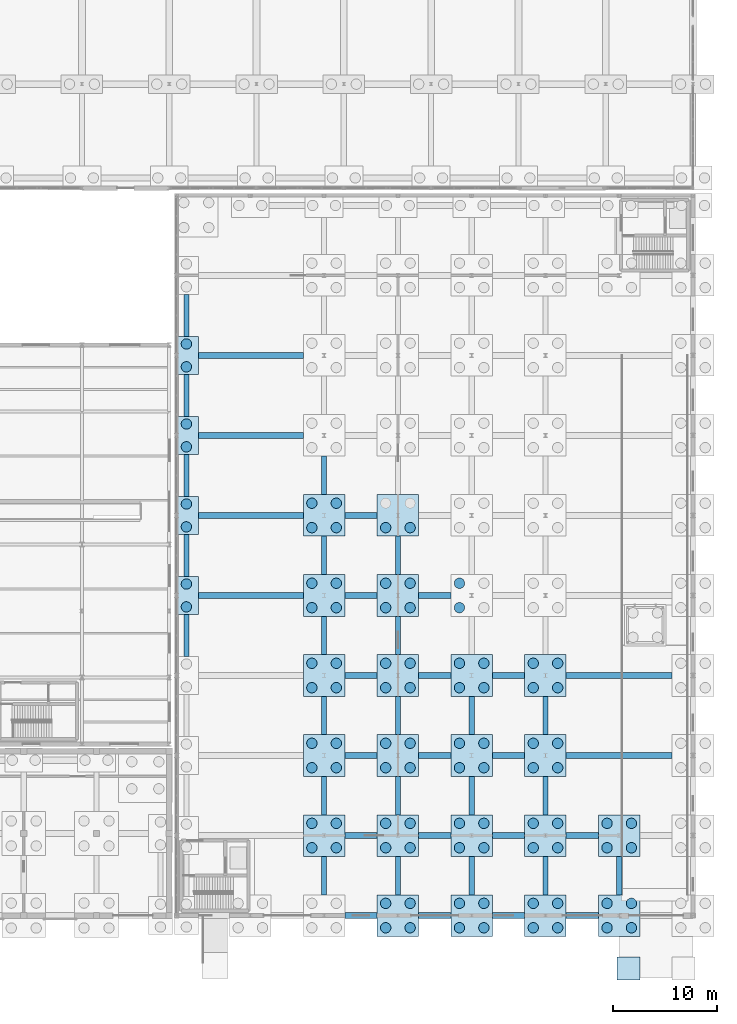
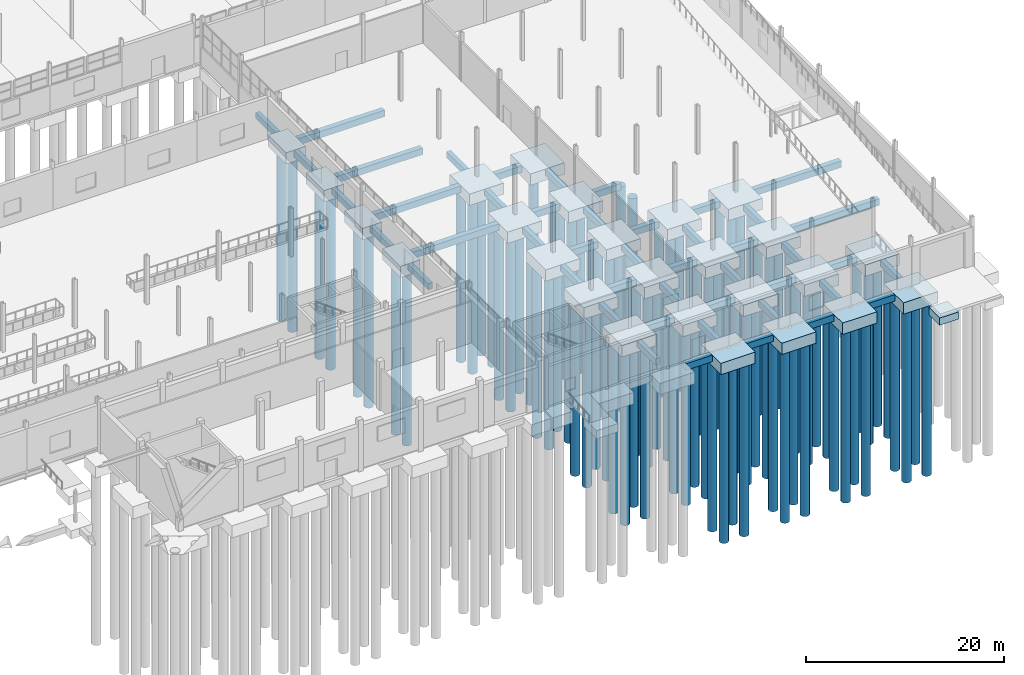
# One storey, part 7 of 139: 92 piles, 72 footings.
"""IFC4 building model written with IfcOpenShell, lengths in metres."""

from ifc_helpers import new_model, si_unit, direction, frame, origin, origin_2d, place, context, subcontext, project, spatial, polyline, rectangle, circle, outline, extrude, material, material_profile, profile_set, type_object, element, save


model = new_model("IFC4")

# Units and contexts
model_context = context("Model", 3, precision=1e-05, world=origin(), true_north=direction((0.0, 1.0)))
body_context = subcontext(model_context, "Body", "Model", "MODEL_VIEW")
ifc_project = project(units=[si_unit("LENGTHUNIT", "METRE"), si_unit("AREAUNIT", "SQUARE_METRE"), si_unit("VOLUMEUNIT", "CUBIC_METRE"), si_unit("PLANEANGLEUNIT", "RADIAN"), si_unit("MASSUNIT", "GRAM", prefix="KILO")], contexts=[model_context])

# Site, building, storey
site_placement = place(None, origin())
site = spatial("IfcSite", under=ifc_project, at=site_placement, CompositionType="ELEMENT")
building_placement = place(site_placement, origin())
building = spatial("IfcBuilding", under=site, at=building_placement, Name="Kazenagashi Tramway Depot", CompositionType="ELEMENT")
storey_placement = place(building_placement, origin())
storey = spatial("IfcBuildingStorey", under=building, at=storey_placement, Name="L01", CompositionType="ELEMENT", Elevation=0.0)

# Piles
ifc_material = material(Name="Concrete Fc30", Category="concrete")
ifc_material_profile = material_profile(ifc_material, circle(Radius=0.5, at=origin_2d()), Name="PILE-1000")
ifc_profile_set = profile_set([ifc_material_profile], Name="Concrete Fc30")
pile_type = type_object("IfcPileType", Name="BP-01", PredefinedType="BORED", material=ifc_profile_set)
for number, where, z_axis, x_axis, name in (
    (1, (147.25, 29.7, -1.65), (0.0, 0.0, -1.0), (1.0, 0.0, 0.0), "Bored Pile BP-01 PILE-0487"),
    (2, (147.25, 31.9, -1.65), (0.0, 0.0, -1.0), (1.0, 0.0, 0.0), "Bored Pile BP-01 PILE-0488"),
    (3, (147.25, 37.4, -1.65), (0.0, 0.0, -1.0), (1.0, 0.0, 0.0), "Bored Pile BP-01 PILE-0489"),
    (4, (147.25, 39.6, -1.65), (0.0, 0.0, -1.0), (1.0, 0.0, 0.0), "Bored Pile BP-01 PILE-0490"),
    (5, (147.25, 45.1, -1.65), (0.0, 0.0, -1.0), (1.0, 0.0, 0.0), "Bored Pile BP-01 PILE-0491"),
    (6, (147.25, 47.3, -1.65), (0.0, 0.0, -1.0), (1.0, 0.0, 0.0), "Bored Pile BP-01 PILE-0492"),
    (7, (147.25, 52.8, -1.65), (0.0, 0.0, -1.0), (1.0, 0.0, 0.0), "Bored Pile BP-01 PILE-0493"),
    (8, (147.25, 55.0, -1.65), (0.0, 0.0, -1.0), (1.0, 0.0, 0.0), "Bored Pile BP-01 PILE-0494"),
    (9, (159.325, 6.525, -1.65), (0.0, 0.0, -1.0), (1.0, 0.0, 0.0), "Bored Pile BP-01 PILE-0511"),
    (10, (161.675, 6.525, -1.65), (0.0, 0.0, -1.0), (1.0, 0.0, 0.0), "Bored Pile BP-01 PILE-0512"),
    (11, (159.325, 8.875, -1.65), (0.0, 0.0, -1.0), (1.0, 0.0, 0.0), "Bored Pile BP-01 PILE-0513"),
    (12, (161.675, 8.875, -1.65), (0.0, 0.0, -1.0), (1.0, 0.0, 0.0), "Bored Pile BP-01 PILE-0514"),
    (13, (159.325, 14.225, -1.65), (0.0, 0.0, -1.0), (1.0, 0.0, 0.0), "Bored Pile BP-01 PILE-0515"),
    (14, (161.675, 14.225, -1.65), (0.0, 0.0, -1.0), (1.0, 0.0, 0.0), "Bored Pile BP-01 PILE-0516"),
    (15, (159.325, 16.575, -1.65), (0.0, 0.0, -1.0), (1.0, 0.0, 0.0), "Bored Pile BP-01 PILE-0517"),
    (16, (161.675, 16.575, -1.65), (0.0, 0.0, -1.0), (1.0, 0.0, 0.0), "Bored Pile BP-01 PILE-0518"),
    (17, (159.325, 21.925, -1.65), (0.0, 0.0, -1.0), (1.0, 0.0, 0.0), "Bored Pile BP-01 PILE-0519"),
    (18, (161.675, 21.925, -1.65), (0.0, 0.0, -1.0), (1.0, 0.0, 0.0), "Bored Pile BP-01 PILE-0520"),
    (19, (159.325, 24.275, -1.65), (0.0, 0.0, -1.0), (1.0, 0.0, 0.0), "Bored Pile BP-01 PILE-0521"),
    (20, (161.675, 24.275, -1.65), (0.0, 0.0, -1.0), (1.0, 0.0, 0.0), "Bored Pile BP-01 PILE-0522"),
    (21, (159.325, 29.625, -1.65), (0.0, 0.0, -1.0), (1.0, 0.0, 0.0), "Bored Pile BP-01 PILE-0523"),
    (22, (161.675, 29.625, -1.65), (0.0, 0.0, -1.0), (1.0, 0.0, 0.0), "Bored Pile BP-01 PILE-0524"),
    (23, (159.325, 31.975, -1.65), (0.0, 0.0, -1.0), (1.0, 0.0, 0.0), "Bored Pile BP-01 PILE-0525"),
    (24, (161.675, 31.975, -1.65), (0.0, 0.0, -1.0), (1.0, 0.0, 0.0), "Bored Pile BP-01 PILE-0526"),
    (25, (159.325, 37.325, -1.65), (0.0, 0.0, -1.0), (1.0, 0.0, 0.0), "Bored Pile BP-01 PILE-0527"),
    (26, (161.675, 37.325, -1.65), (0.0, 0.0, -1.0), (1.0, 0.0, 0.0), "Bored Pile BP-01 PILE-0528"),
    (27, (159.325, 39.675, -1.65), (0.0, 0.0, -1.0), (1.0, 0.0, 0.0), "Bored Pile BP-01 PILE-0529"),
    (28, (161.675, 39.675, -1.65), (0.0, 0.0, -1.0), (1.0, 0.0, 0.0), "Bored Pile BP-01 PILE-0530"),
    (29, (166.425, -1.175, -1.65), (0.0, 0.0, -1.0), (1.0, 0.0, 0.0), "Bored Pile BP-01 PILE-0545"),
    (30, (168.775, -1.175, -1.65), (0.0, 0.0, -1.0), (1.0, 0.0, 0.0), "Bored Pile BP-01 PILE-0546"),
    (31, (166.425, 1.175, -1.65), (0.0, 0.0, -1.0), (1.0, 0.0, 0.0), "Bored Pile BP-01 PILE-0547"),
    (32, (168.775, 1.175, -1.65), (0.0, 0.0, -1.0), (1.0, 0.0, 0.0), "Bored Pile BP-01 PILE-0548"),
    (33, (166.425, 6.525, -1.65), (0.0, 0.0, -1.0), (1.0, 0.0, 0.0), "Bored Pile BP-01 PILE-0549"),
    (34, (168.775, 6.525, -1.65), (0.0, 0.0, -1.0), (1.0, 0.0, 0.0), "Bored Pile BP-01 PILE-0550"),
    (35, (166.425, 8.875, -1.65), (0.0, 0.0, -1.0), (1.0, 0.0, 0.0), "Bored Pile BP-01 PILE-0551"),
    (36, (168.775, 8.875, -1.65), (0.0, 0.0, -1.0), (1.0, 0.0, 0.0), "Bored Pile BP-01 PILE-0552"),
    (37, (166.425, 14.225, -1.65), (0.0, 0.0, -1.0), (1.0, 0.0, 0.0), "Bored Pile BP-01 PILE-0553"),
    (38, (168.775, 14.225, -1.65), (0.0, 0.0, -1.0), (1.0, 0.0, 0.0), "Bored Pile BP-01 PILE-0554"),
    (39, (166.425, 16.575, -1.65), (0.0, 0.0, -1.0), (1.0, 0.0, 0.0), "Bored Pile BP-01 PILE-0555"),
    (40, (168.775, 16.575, -1.65), (0.0, 0.0, -1.0), (1.0, 0.0, 0.0), "Bored Pile BP-01 PILE-0556"),
    (41, (166.425, 21.925, -1.65), (0.0, 0.0, -1.0), (1.0, 0.0, 0.0), "Bored Pile BP-01 PILE-0557"),
    (42, (168.775, 21.925, -1.65), (0.0, 0.0, -1.0), (1.0, 0.0, 0.0), "Bored Pile BP-01 PILE-0558"),
    (43, (166.425, 24.275, -1.65), (0.0, 0.0, -1.0), (1.0, 0.0, 0.0), "Bored Pile BP-01 PILE-0559"),
    (44, (168.775, 24.275, -1.65), (0.0, 0.0, -1.0), (1.0, 0.0, 0.0), "Bored Pile BP-01 PILE-0560"),
    (45, (166.425, 29.625, -1.65), (0.0, 0.0, -1.0), (1.0, 0.0, 0.0), "Bored Pile BP-01 PILE-0561"),
    (46, (168.775, 29.625, -1.65), (0.0, 0.0, -1.0), (1.0, 0.0, 0.0), "Bored Pile BP-01 PILE-0562"),
    (47, (166.425, 31.975, -1.65), (0.0, 0.0, -1.0), (1.0, 0.0, 0.0), "Bored Pile BP-01 PILE-0563"),
    (48, (168.775, 31.975, -1.65), (0.0, 0.0, -1.0), (1.0, 0.0, 0.0), "Bored Pile BP-01 PILE-0564"),
    (49, (166.425, 37.325, -1.65), (0.0, 0.0, -1.0), (1.0, 0.0, 0.0), "Bored Pile BP-01 PILE-0565"),
    (50, (168.775, 37.325, -1.65), (0.0, 0.0, -1.0), (1.0, 0.0, 0.0), "Bored Pile BP-01 PILE-0566"),
    (51, (173.525, -1.175, -1.65), (0.0, 0.0, -1.0), (1.0, 0.0, 0.0), "Bored Pile BP-01 PILE-0583"),
    (52, (175.875, -1.175, -1.65), (0.0, 0.0, -1.0), (1.0, 0.0, 0.0), "Bored Pile BP-01 PILE-0584"),
    (53, (173.525, 1.175, -1.65), (0.0, 0.0, -1.0), (1.0, 0.0, 0.0), "Bored Pile BP-01 PILE-0585"),
    (54, (175.875, 1.175, -1.65), (0.0, 0.0, -1.0), (1.0, 0.0, 0.0), "Bored Pile BP-01 PILE-0586"),
    (55, (173.525, 6.525, -1.65), (0.0, 0.0, -1.0), (1.0, 0.0, 0.0), "Bored Pile BP-01 PILE-0587"),
    (56, (175.875, 6.525, -1.65), (0.0, 0.0, -1.0), (1.0, 0.0, 0.0), "Bored Pile BP-01 PILE-0588"),
    (57, (173.525, 8.875, -1.65), (0.0, 0.0, -1.0), (1.0, 0.0, 0.0), "Bored Pile BP-01 PILE-0589"),
    (58, (175.875, 8.875, -1.65), (0.0, 0.0, -1.0), (1.0, 0.0, 0.0), "Bored Pile BP-01 PILE-0590"),
    (59, (173.525, 14.225, -1.65), (0.0, 0.0, -1.0), (1.0, 0.0, 0.0), "Bored Pile BP-01 PILE-0591"),
    (60, (175.875, 14.225, -1.65), (0.0, 0.0, -1.0), (1.0, 0.0, 0.0), "Bored Pile BP-01 PILE-0592"),
    (61, (173.525, 16.575, -1.65), (0.0, 0.0, -1.0), (1.0, 0.0, 0.0), "Bored Pile BP-01 PILE-0593"),
    (62, (175.875, 16.575, -1.65), (0.0, 0.0, -1.0), (1.0, 0.0, 0.0), "Bored Pile BP-01 PILE-0594"),
    (63, (173.525, 21.925, -1.65), (0.0, 0.0, -1.0), (1.0, 0.0, 0.0), "Bored Pile BP-01 PILE-0595"),
    (64, (175.875, 21.925, -1.65), (0.0, 0.0, -1.0), (1.0, 0.0, 0.0), "Bored Pile BP-01 PILE-0596"),
    (65, (173.525, 24.275, -1.65), (0.0, 0.0, -1.0), (1.0, 0.0, 0.0), "Bored Pile BP-01 PILE-0597"),
    (66, (175.875, 24.275, -1.65), (0.0, 0.0, -1.0), (1.0, 0.0, 0.0), "Bored Pile BP-01 PILE-0598"),
    (67, (173.525, 29.625, -1.65), (0.0, 0.0, -1.0), (1.0, 0.0, 0.0), "Bored Pile BP-01 PILE-0599"),
    (68, (173.525, 31.975, -1.65), (0.0, 0.0, -1.0), (1.0, 0.0, 0.0), "Bored Pile BP-01 PILE-0601"),
    (69, (180.625, -1.175, -1.65), (0.0, 0.0, -1.0), (1.0, 0.0, 0.0), "Bored Pile BP-01 PILE-0621"),
    (70, (182.975, -1.175, -1.65), (0.0, 0.0, -1.0), (1.0, 0.0, 0.0), "Bored Pile BP-01 PILE-0622"),
    (71, (180.625, 1.175, -1.65), (0.0, 0.0, -1.0), (1.0, 0.0, 0.0), "Bored Pile BP-01 PILE-0623"),
    (72, (182.975, 1.175, -1.65), (0.0, 0.0, -1.0), (1.0, 0.0, 0.0), "Bored Pile BP-01 PILE-0624"),
    (73, (180.625, 6.525, -1.65), (0.0, 0.0, -1.0), (1.0, 0.0, 0.0), "Bored Pile BP-01 PILE-0625"),
    (74, (182.975, 6.525, -1.65), (0.0, 0.0, -1.0), (1.0, 0.0, 0.0), "Bored Pile BP-01 PILE-0626"),
    (75, (180.625, 8.875, -1.65), (0.0, 0.0, -1.0), (1.0, 0.0, 0.0), "Bored Pile BP-01 PILE-0627"),
    (76, (182.975, 8.875, -1.65), (0.0, 0.0, -1.0), (1.0, 0.0, 0.0), "Bored Pile BP-01 PILE-0628"),
    (77, (180.625, 14.225, -1.65), (0.0, 0.0, -1.0), (1.0, 0.0, 0.0), "Bored Pile BP-01 PILE-0629"),
    (78, (182.975, 14.225, -1.65), (0.0, 0.0, -1.0), (1.0, 0.0, 0.0), "Bored Pile BP-01 PILE-0630"),
    (79, (180.625, 16.575, -1.65), (0.0, 0.0, -1.0), (1.0, 0.0, 0.0), "Bored Pile BP-01 PILE-0631"),
    (80, (182.975, 16.575, -1.65), (0.0, 0.0, -1.0), (1.0, 0.0, 0.0), "Bored Pile BP-01 PILE-0632"),
    (81, (180.625, 21.925, -1.65), (0.0, 0.0, -1.0), (1.0, 0.0, 0.0), "Bored Pile BP-01 PILE-0633"),
    (82, (182.975, 21.925, -1.65), (0.0, 0.0, -1.0), (1.0, 0.0, 0.0), "Bored Pile BP-01 PILE-0634"),
    (83, (180.625, 24.275, -1.65), (0.0, 0.0, -1.0), (1.0, 0.0, 0.0), "Bored Pile BP-01 PILE-0635"),
    (84, (182.975, 24.275, -1.65), (0.0, 0.0, -1.0), (1.0, 0.0, 0.0), "Bored Pile BP-01 PILE-0636"),
    (85, (187.725, -1.175, -1.65), (0.0, 0.0, -1.0), (1.0, 0.0, 0.0), "Bored Pile BP-01 PILE-0659"),
    (86, (190.075, -1.175, -1.65), (0.0, 0.0, -1.0), (1.0, 0.0, 0.0), "Bored Pile BP-01 PILE-0660"),
    (87, (187.725, 1.175, -1.65), (0.0, 0.0, -1.0), (1.0, 0.0, 0.0), "Bored Pile BP-01 PILE-0661"),
    (88, (190.075, 1.175, -1.65), (0.0, 0.0, -1.0), (1.0, 0.0, 0.0), "Bored Pile BP-01 PILE-0662"),
    (89, (187.725, 6.525, -1.65), (0.0, 0.0, -1.0), (1.0, 0.0, 0.0), "Bored Pile BP-01 PILE-0663"),
    (90, (190.075, 6.525, -1.65), (0.0, 0.0, -1.0), (1.0, 0.0, 0.0), "Bored Pile BP-01 PILE-0664"),
    (91, (187.725, 8.875, -1.65), (0.0, 0.0, -1.0), (1.0, 0.0, 0.0), "Bored Pile BP-01 PILE-0665"),
    (92, (190.075, 8.875, -1.65), (0.0, 0.0, -1.0), (1.0, 0.0, 0.0), "Bored Pile BP-01 PILE-0666"),
):
    element("IfcPile", number, at=place(storey_placement, frame(where, z_axis=z_axis, x_axis=x_axis)), inside=storey, type_object=pile_type, Name=name, PredefinedType="BORED", context=body_context, shape_type="SweptSolid", body=[
        extrude(circle(Radius=0.5, at=origin_2d()), origin(), (0.0, 0.0, 1.0), 21.35),
    ])

# Footings
footing_type_1 = type_object("IfcFootingType", Name="FB-01", PredefinedType="FOOTING_BEAM", material=ifc_material)
footing_1_placement = place(storey_placement, frame((0.0, 0.0, -1.15)))
element("IfcFooting", 93, at=footing_1_placement, inside=storey, type_object=footing_type_1, Name="Footing Tie Beam FB-0022", PredefinedType="FOOTING_BEAM", context=body_context, shape_type="SweptSolid", body=[
    extrude(outline(polyline([(162.5, -0.3), (165.6, -0.3), (165.6, 0.3), (162.5, 0.3), (162.5, -0.3)])), origin(), (0.0, 0.0, 1.0), 0.8),
])
footing_2_placement = place(storey_placement, frame((0.0, 0.0, -1.15)))
element("IfcFooting", 94, at=footing_2_placement, inside=storey, type_object=footing_type_1, Name="Footing Tie Beam FB-0023", PredefinedType="FOOTING_BEAM", context=body_context, shape_type="SweptSolid", body=[
    extrude(outline(polyline([(169.6, -0.3), (172.7, -0.3), (172.7, 0.3), (169.6, 0.3), (169.6, -0.3)])), origin(), (0.0, 0.0, 1.0), 0.8),
])
footing_3_placement = place(storey_placement, frame((0.0, 0.0, -1.15)))
element("IfcFooting", 95, at=footing_3_placement, inside=storey, type_object=footing_type_1, Name="Footing Tie Beam FB-0024", PredefinedType="FOOTING_BEAM", context=body_context, shape_type="SweptSolid", body=[
    extrude(outline(polyline([(176.7, -0.3), (179.8, -0.3), (179.8, 0.3), (176.7, 0.3), (176.7, -0.3)])), origin(), (0.0, 0.0, 1.0), 0.8),
])
footing_4_placement = place(storey_placement, frame((0.0, 0.0, -1.15)))
element("IfcFooting", 96, at=footing_4_placement, inside=storey, type_object=footing_type_1, Name="Footing Tie Beam FB-0025", PredefinedType="FOOTING_BEAM", context=body_context, shape_type="SweptSolid", body=[
    extrude(outline(polyline([(183.8, -0.3), (186.9, -0.3), (186.9, 0.3), (183.8, 0.3), (183.8, -0.3)])), origin(), (0.0, 0.0, 1.0), 0.8),
])
footing_5_placement = place(storey_placement, frame((0.0, 0.0, -1.15)))
element("IfcFooting", 97, at=footing_5_placement, inside=storey, type_object=footing_type_1, Name="Footing Tie Beam FB-0038", PredefinedType="FOOTING_BEAM", context=body_context, shape_type="SweptSolid", body=[
    extrude(outline(polyline([(162.5, 7.4), (165.6, 7.4), (165.6, 8.0), (162.5, 8.0), (162.5, 7.4)])), origin(), (0.0, 0.0, 1.0), 0.8),
])
footing_6_placement = place(storey_placement, frame((0.0, 0.0, -1.15)))
element("IfcFooting", 98, at=footing_6_placement, inside=storey, type_object=footing_type_1, Name="Footing Tie Beam FB-0039", PredefinedType="FOOTING_BEAM", context=body_context, shape_type="SweptSolid", body=[
    extrude(outline(polyline([(169.6, 7.4), (172.7, 7.4), (172.7, 8.0), (169.6, 8.0), (169.6, 7.4)])), origin(), (0.0, 0.0, 1.0), 0.8),
])
footing_7_placement = place(storey_placement, frame((0.0, 0.0, -1.15)))
element("IfcFooting", 99, at=footing_7_placement, inside=storey, type_object=footing_type_1, Name="Footing Tie Beam FB-0040", PredefinedType="FOOTING_BEAM", context=body_context, shape_type="SweptSolid", body=[
    extrude(outline(polyline([(176.7, 7.4), (179.8, 7.4), (179.8, 8.0), (176.7, 8.0), (176.7, 7.4)])), origin(), (0.0, 0.0, 1.0), 0.8),
])
footing_8_placement = place(storey_placement, frame((0.0, 0.0, -1.15)))
element("IfcFooting", 100, at=footing_8_placement, inside=storey, type_object=footing_type_1, Name="Footing Tie Beam FB-0041", PredefinedType="FOOTING_BEAM", context=body_context, shape_type="SweptSolid", body=[
    extrude(outline(polyline([(183.8, 7.4), (186.9, 7.4), (186.9, 8.0), (183.8, 8.0), (183.8, 7.4)])), origin(), (0.0, 0.0, 1.0), 0.8),
])
footing_9_placement = place(storey_placement, frame((0.0, 0.0, -1.15)))
element("IfcFooting", 101, at=footing_9_placement, inside=storey, type_object=footing_type_1, Name="Footing Tie Beam FB-0059", PredefinedType="FOOTING_BEAM", context=body_context, shape_type="SweptSolid", body=[
    extrude(outline(polyline([(162.5, 15.1), (165.6, 15.1), (165.6, 15.7), (162.5, 15.7), (162.5, 15.1)])), origin(), (0.0, 0.0, 1.0), 0.8),
])
footing_10_placement = place(storey_placement, frame((0.0, 0.0, -1.15)))
element("IfcFooting", 102, at=footing_10_placement, inside=storey, type_object=footing_type_1, Name="Footing Tie Beam FB-0060", PredefinedType="FOOTING_BEAM", context=body_context, shape_type="SweptSolid", body=[
    extrude(outline(polyline([(169.6, 15.1), (172.7, 15.1), (172.7, 15.7), (169.6, 15.7), (169.6, 15.1)])), origin(), (0.0, 0.0, 1.0), 0.8),
])
footing_11_placement = place(storey_placement, frame((0.0, 0.0, -1.15)))
element("IfcFooting", 103, at=footing_11_placement, inside=storey, type_object=footing_type_1, Name="Footing Tie Beam FB-0061", PredefinedType="FOOTING_BEAM", context=body_context, shape_type="SweptSolid", body=[
    extrude(outline(polyline([(176.7, 15.1), (179.8, 15.1), (179.8, 15.7), (176.7, 15.7), (176.7, 15.1)])), origin(), (0.0, 0.0, 1.0), 0.8),
])
footing_12_placement = place(storey_placement, frame((0.0, 0.0, -1.15)))
element("IfcFooting", 104, at=footing_12_placement, inside=storey, type_object=footing_type_1, Name="Footing Tie Beam FB-0062", PredefinedType="FOOTING_BEAM", context=body_context, shape_type="SweptSolid", body=[
    extrude(outline(polyline([(183.8, 15.1), (194.0, 15.1), (194.0, 15.7), (183.8, 15.7), (183.8, 15.1)])), origin(), (0.0, 0.0, 1.0), 0.8),
])
footing_13_placement = place(storey_placement, frame((0.0, 0.0, -1.15)))
element("IfcFooting", 105, at=footing_13_placement, inside=storey, type_object=footing_type_1, Name="Footing Tie Beam FB-0068", PredefinedType="FOOTING_BEAM", context=body_context, shape_type="SweptSolid", body=[
    extrude(outline(polyline([(162.5, 22.8), (165.6, 22.8), (165.6, 23.4), (162.5, 23.4), (162.5, 22.8)])), origin(), (0.0, 0.0, 1.0), 0.8),
])
footing_14_placement = place(storey_placement, frame((0.0, 0.0, -1.15)))
element("IfcFooting", 106, at=footing_14_placement, inside=storey, type_object=footing_type_1, Name="Footing Tie Beam FB-0069", PredefinedType="FOOTING_BEAM", context=body_context, shape_type="SweptSolid", body=[
    extrude(outline(polyline([(169.6, 22.8), (172.7, 22.8), (172.7, 23.4), (169.6, 23.4), (169.6, 22.8)])), origin(), (0.0, 0.0, 1.0), 0.8),
])
footing_15_placement = place(storey_placement, frame((0.0, 0.0, -1.15)))
element("IfcFooting", 107, at=footing_15_placement, inside=storey, type_object=footing_type_1, Name="Footing Tie Beam FB-0070", PredefinedType="FOOTING_BEAM", context=body_context, shape_type="SweptSolid", body=[
    extrude(outline(polyline([(176.7, 22.8), (179.8, 22.8), (179.8, 23.4), (176.7, 23.4), (176.7, 22.8)])), origin(), (0.0, 0.0, 1.0), 0.8),
])
footing_16_placement = place(storey_placement, frame((0.0, 0.0, -1.15)))
element("IfcFooting", 108, at=footing_16_placement, inside=storey, type_object=footing_type_1, Name="Footing Tie Beam FB-0071", PredefinedType="FOOTING_BEAM", context=body_context, shape_type="SweptSolid", body=[
    extrude(outline(polyline([(183.8, 22.8), (194.0, 22.8), (194.0, 23.4), (183.8, 23.4), (183.8, 22.8)])), origin(), (0.0, 0.0, 1.0), 0.8),
])
footing_17_placement = place(storey_placement, frame((0.0, 0.0, -1.15)))
element("IfcFooting", 109, at=footing_17_placement, inside=storey, type_object=footing_type_1, Name="Footing Tie Beam FB-0078", PredefinedType="FOOTING_BEAM", context=body_context, shape_type="SweptSolid", body=[
    extrude(outline(polyline([(148.4, 30.5), (158.5, 30.5), (158.5, 31.1), (148.4, 31.1), (148.4, 30.5)])), origin(), (0.0, 0.0, 1.0), 0.8),
])
footing_18_placement = place(storey_placement, frame((0.0, 0.0, -1.15)))
element("IfcFooting", 110, at=footing_18_placement, inside=storey, type_object=footing_type_1, Name="Footing Tie Beam FB-0079", PredefinedType="FOOTING_BEAM", context=body_context, shape_type="SweptSolid", body=[
    extrude(outline(polyline([(162.5, 30.5), (165.6, 30.5), (165.6, 31.1), (162.5, 31.1), (162.5, 30.5)])), origin(), (0.0, 0.0, 1.0), 0.8),
])
footing_19_placement = place(storey_placement, frame((0.0, 0.0, -1.15)))
element("IfcFooting", 111, at=footing_19_placement, inside=storey, type_object=footing_type_1, Name="Footing Tie Beam FB-0080", PredefinedType="FOOTING_BEAM", context=body_context, shape_type="SweptSolid", body=[
    extrude(outline(polyline([(169.6, 30.5), (172.7, 30.5), (172.7, 31.1), (169.6, 31.1), (169.6, 30.5)])), origin(), (0.0, 0.0, 1.0), 0.8),
])
footing_20_placement = place(storey_placement, frame((0.0, 0.0, -1.15)))
element("IfcFooting", 112, at=footing_20_placement, inside=storey, type_object=footing_type_1, Name="Footing Tie Beam FB-0089", PredefinedType="FOOTING_BEAM", context=body_context, shape_type="SweptSolid", body=[
    extrude(outline(polyline([(148.4, 38.2), (158.5, 38.2), (158.5, 38.8), (148.4, 38.8), (148.4, 38.2)])), origin(), (0.0, 0.0, 1.0), 0.8),
])
footing_21_placement = place(storey_placement, frame((0.0, 0.0, -1.15)))
element("IfcFooting", 113, at=footing_21_placement, inside=storey, type_object=footing_type_1, Name="Footing Tie Beam FB-0090", PredefinedType="FOOTING_BEAM", context=body_context, shape_type="SweptSolid", body=[
    extrude(outline(polyline([(162.5, 38.2), (165.6, 38.2), (165.6, 38.8), (162.5, 38.8), (162.5, 38.2)])), origin(), (0.0, 0.0, 1.0), 0.8),
])
footing_22_placement = place(storey_placement, frame((0.0, 0.0, -1.15)))
element("IfcFooting", 114, at=footing_22_placement, inside=storey, type_object=footing_type_1, Name="Footing Tie Beam FB-0100", PredefinedType="FOOTING_BEAM", context=body_context, shape_type="SweptSolid", body=[
    extrude(outline(polyline([(148.4, 45.9), (158.5, 45.9), (158.5, 46.5), (148.4, 46.5), (148.4, 45.9)])), origin(), (0.0, 0.0, 1.0), 0.8),
])
footing_23_placement = place(storey_placement, frame((0.0, 0.0, -1.15)))
element("IfcFooting", 115, at=footing_23_placement, inside=storey, type_object=footing_type_1, Name="Footing Tie Beam FB-0111", PredefinedType="FOOTING_BEAM", context=body_context, shape_type="SweptSolid", body=[
    extrude(outline(polyline([(148.4, 53.6), (158.5, 53.6), (158.5, 54.2), (148.4, 54.2), (148.4, 53.6)])), origin(), (0.0, 0.0, 1.0), 0.8),
])
footing_type_2 = type_object("IfcFootingType", Name="FB-03", PredefinedType="FOOTING_BEAM", material=ifc_material)
footing_24_placement = place(storey_placement, frame((0.0, 0.0, -1.1)))
element("IfcFooting", 116, at=footing_24_placement, inside=storey, type_object=footing_type_2, Name="Footing Tie Beam FB-0356", PredefinedType="FOOTING_BEAM", context=body_context, shape_type="SweptSolid", body=[
    extrude(outline(polyline([(147.0, 24.92), (147.5, 24.92), (147.5, 28.98), (147.0, 28.98), (147.0, 24.92)])), origin(), (0.0, 0.0, 1.0), 0.75),
])
footing_25_placement = place(storey_placement, frame((0.0, 0.0, -1.1)))
element("IfcFooting", 117, at=footing_25_placement, inside=storey, type_object=footing_type_2, Name="Footing Tie Beam FB-0357", PredefinedType="FOOTING_BEAM", context=body_context, shape_type="SweptSolid", body=[
    extrude(outline(polyline([(147.0, 32.62), (147.5, 32.62), (147.5, 36.68), (147.0, 36.68), (147.0, 32.62)])), origin(), (0.0, 0.0, 1.0), 0.75),
])
footing_26_placement = place(storey_placement, frame((0.0, 0.0, -1.1)))
element("IfcFooting", 118, at=footing_26_placement, inside=storey, type_object=footing_type_2, Name="Footing Tie Beam FB-0358", PredefinedType="FOOTING_BEAM", context=body_context, shape_type="SweptSolid", body=[
    extrude(outline(polyline([(147.0, 40.32), (147.5, 40.32), (147.5, 44.38), (147.0, 44.38), (147.0, 40.32)])), origin(), (0.0, 0.0, 1.0), 0.75),
])
footing_27_placement = place(storey_placement, frame((0.0, 0.0, -1.1)))
element("IfcFooting", 119, at=footing_27_placement, inside=storey, type_object=footing_type_2, Name="Footing Tie Beam FB-0359", PredefinedType="FOOTING_BEAM", context=body_context, shape_type="SweptSolid", body=[
    extrude(outline(polyline([(147.0, 48.02), (147.5, 48.02), (147.5, 52.08), (147.0, 52.08), (147.0, 48.02)])), origin(), (0.0, 0.0, 1.0), 0.75),
])
footing_28_placement = place(storey_placement, frame((0.0, 0.0, -1.1)))
element("IfcFooting", 120, at=footing_28_placement, inside=storey, type_object=footing_type_2, Name="Footing Tie Beam FB-0360", PredefinedType="FOOTING_BEAM", context=body_context, shape_type="SweptSolid", body=[
    extrude(outline(polyline([(147.0, 55.72), (147.5, 55.72), (147.5, 59.78), (147.0, 59.78), (147.0, 55.72)])), origin(), (0.0, 0.0, 1.0), 0.75),
])
footing_29_placement = place(storey_placement, frame((0.0, 0.0, -1.1)))
element("IfcFooting", 121, at=footing_29_placement, inside=storey, type_object=footing_type_2, Name="Footing Tie Beam FB-0364", PredefinedType="FOOTING_BEAM", context=body_context, shape_type="SweptSolid", body=[
    extrude(outline(polyline([(160.25, 2.0), (160.75, 2.0), (160.75, 5.7), (160.25, 5.7), (160.25, 2.0)])), origin(), (0.0, 0.0, 1.0), 0.75),
])
footing_30_placement = place(storey_placement, frame((0.0, 0.0, -1.1)))
element("IfcFooting", 122, at=footing_30_placement, inside=storey, type_object=footing_type_2, Name="Footing Tie Beam FB-0365", PredefinedType="FOOTING_BEAM", context=body_context, shape_type="SweptSolid", body=[
    extrude(outline(polyline([(160.25, 9.7), (160.75, 9.7), (160.75, 13.4), (160.25, 13.4), (160.25, 9.7)])), origin(), (0.0, 0.0, 1.0), 0.75),
])
footing_31_placement = place(storey_placement, frame((0.0, 0.0, -1.1)))
element("IfcFooting", 123, at=footing_31_placement, inside=storey, type_object=footing_type_2, Name="Footing Tie Beam FB-0366", PredefinedType="FOOTING_BEAM", context=body_context, shape_type="SweptSolid", body=[
    extrude(outline(polyline([(160.25, 17.4), (160.75, 17.4), (160.75, 21.1), (160.25, 21.1), (160.25, 17.4)])), origin(), (0.0, 0.0, 1.0), 0.75),
])
footing_32_placement = place(storey_placement, frame((0.0, 0.0, -1.1)))
element("IfcFooting", 124, at=footing_32_placement, inside=storey, type_object=footing_type_2, Name="Footing Tie Beam FB-0367", PredefinedType="FOOTING_BEAM", context=body_context, shape_type="SweptSolid", body=[
    extrude(outline(polyline([(160.25, 25.1), (160.75, 25.1), (160.75, 28.8), (160.25, 28.8), (160.25, 25.1)])), origin(), (0.0, 0.0, 1.0), 0.75),
])
footing_33_placement = place(storey_placement, frame((0.0, 0.0, -1.1)))
element("IfcFooting", 125, at=footing_33_placement, inside=storey, type_object=footing_type_2, Name="Footing Tie Beam FB-0368", PredefinedType="FOOTING_BEAM", context=body_context, shape_type="SweptSolid", body=[
    extrude(outline(polyline([(160.25, 32.8), (160.75, 32.8), (160.75, 36.5), (160.25, 36.5), (160.25, 32.8)])), origin(), (0.0, 0.0, 1.0), 0.75),
])
footing_34_placement = place(storey_placement, frame((0.0, 0.0, -1.1)))
element("IfcFooting", 126, at=footing_34_placement, inside=storey, type_object=footing_type_2, Name="Footing Tie Beam FB-0369", PredefinedType="FOOTING_BEAM", context=body_context, shape_type="SweptSolid", body=[
    extrude(outline(polyline([(160.25, 40.5), (160.75, 40.5), (160.75, 44.2), (160.25, 44.2), (160.25, 40.5)])), origin(), (0.0, 0.0, 1.0), 0.75),
])
footing_35_placement = place(storey_placement, frame((0.0, 0.0, -1.1)))
element("IfcFooting", 127, at=footing_35_placement, inside=storey, type_object=footing_type_2, Name="Footing Tie Beam FB-0376", PredefinedType="FOOTING_BEAM", context=body_context, shape_type="SweptSolid", body=[
    extrude(outline(polyline([(167.35, 2.0), (167.85, 2.0), (167.85, 5.7), (167.35, 5.7), (167.35, 2.0)])), origin(), (0.0, 0.0, 1.0), 0.75),
])
footing_36_placement = place(storey_placement, frame((0.0, 0.0, -1.1)))
element("IfcFooting", 128, at=footing_36_placement, inside=storey, type_object=footing_type_2, Name="Footing Tie Beam FB-0377", PredefinedType="FOOTING_BEAM", context=body_context, shape_type="SweptSolid", body=[
    extrude(outline(polyline([(167.35, 9.7), (167.85, 9.7), (167.85, 13.4), (167.35, 13.4), (167.35, 9.7)])), origin(), (0.0, 0.0, 1.0), 0.75),
])
footing_37_placement = place(storey_placement, frame((0.0, 0.0, -1.1)))
element("IfcFooting", 129, at=footing_37_placement, inside=storey, type_object=footing_type_2, Name="Footing Tie Beam FB-0378", PredefinedType="FOOTING_BEAM", context=body_context, shape_type="SweptSolid", body=[
    extrude(outline(polyline([(167.35, 17.4), (167.85, 17.4), (167.85, 21.1), (167.35, 21.1), (167.35, 17.4)])), origin(), (0.0, 0.0, 1.0), 0.75),
])
footing_38_placement = place(storey_placement, frame((0.0, 0.0, -1.1)))
element("IfcFooting", 130, at=footing_38_placement, inside=storey, type_object=footing_type_2, Name="Footing Tie Beam FB-0379", PredefinedType="FOOTING_BEAM", context=body_context, shape_type="SweptSolid", body=[
    extrude(outline(polyline([(167.35, 25.1), (167.85, 25.1), (167.85, 28.8), (167.35, 28.8), (167.35, 25.1)])), origin(), (0.0, 0.0, 1.0), 0.75),
])
footing_39_placement = place(storey_placement, frame((0.0, 0.0, -1.1)))
element("IfcFooting", 131, at=footing_39_placement, inside=storey, type_object=footing_type_2, Name="Footing Tie Beam FB-0380", PredefinedType="FOOTING_BEAM", context=body_context, shape_type="SweptSolid", body=[
    extrude(outline(polyline([(167.35, 32.8), (167.85, 32.8), (167.85, 36.5), (167.35, 36.5), (167.35, 32.8)])), origin(), (0.0, 0.0, 1.0), 0.75),
])
footing_40_placement = place(storey_placement, frame((0.0, 0.0, -1.1)))
element("IfcFooting", 132, at=footing_40_placement, inside=storey, type_object=footing_type_2, Name="Footing Tie Beam FB-0388", PredefinedType="FOOTING_BEAM", context=body_context, shape_type="SweptSolid", body=[
    extrude(outline(polyline([(174.45, 2.0), (174.95, 2.0), (174.95, 5.7), (174.45, 5.7), (174.45, 2.0)])), origin(), (0.0, 0.0, 1.0), 0.75),
])
footing_41_placement = place(storey_placement, frame((0.0, 0.0, -1.1)))
element("IfcFooting", 133, at=footing_41_placement, inside=storey, type_object=footing_type_2, Name="Footing Tie Beam FB-0389", PredefinedType="FOOTING_BEAM", context=body_context, shape_type="SweptSolid", body=[
    extrude(outline(polyline([(174.45, 9.7), (174.95, 9.7), (174.95, 13.4), (174.45, 13.4), (174.45, 9.7)])), origin(), (0.0, 0.0, 1.0), 0.75),
])
footing_42_placement = place(storey_placement, frame((0.0, 0.0, -1.1)))
element("IfcFooting", 134, at=footing_42_placement, inside=storey, type_object=footing_type_2, Name="Footing Tie Beam FB-0390", PredefinedType="FOOTING_BEAM", context=body_context, shape_type="SweptSolid", body=[
    extrude(outline(polyline([(174.45, 17.4), (174.95, 17.4), (174.95, 21.1), (174.45, 21.1), (174.45, 17.4)])), origin(), (0.0, 0.0, 1.0), 0.75),
])
footing_43_placement = place(storey_placement, frame((0.0, 0.0, -1.1)))
element("IfcFooting", 135, at=footing_43_placement, inside=storey, type_object=footing_type_2, Name="Footing Tie Beam FB-0400", PredefinedType="FOOTING_BEAM", context=body_context, shape_type="SweptSolid", body=[
    extrude(outline(polyline([(181.55, 2.0), (182.05, 2.0), (182.05, 5.7), (181.55, 5.7), (181.55, 2.0)])), origin(), (0.0, 0.0, 1.0), 0.75),
])
footing_44_placement = place(storey_placement, frame((0.0, 0.0, -1.1)))
element("IfcFooting", 136, at=footing_44_placement, inside=storey, type_object=footing_type_2, Name="Footing Tie Beam FB-0401", PredefinedType="FOOTING_BEAM", context=body_context, shape_type="SweptSolid", body=[
    extrude(outline(polyline([(181.55, 9.7), (182.05, 9.7), (182.05, 13.4), (181.55, 13.4), (181.55, 9.7)])), origin(), (0.0, 0.0, 1.0), 0.75),
])
footing_45_placement = place(storey_placement, frame((0.0, 0.0, -1.1)))
element("IfcFooting", 137, at=footing_45_placement, inside=storey, type_object=footing_type_2, Name="Footing Tie Beam FB-0402", PredefinedType="FOOTING_BEAM", context=body_context, shape_type="SweptSolid", body=[
    extrude(outline(polyline([(181.55, 17.4), (182.05, 17.4), (182.05, 21.1), (181.55, 21.1), (181.55, 17.4)])), origin(), (0.0, 0.0, 1.0), 0.75),
])
footing_46_placement = place(storey_placement, frame((0.0, 0.0, -1.1)))
element("IfcFooting", 138, at=footing_46_placement, inside=storey, type_object=footing_type_2, Name="Footing Tie Beam FB-0412", PredefinedType="FOOTING_BEAM", context=body_context, shape_type="SweptSolid", body=[
    extrude(outline(polyline([(188.65, 2.0), (189.15, 2.0), (189.15, 5.7), (188.65, 5.7), (188.65, 2.0)])), origin(), (0.0, 0.0, 1.0), 0.75),
])
footing_type_3 = type_object("IfcFootingType", Name="PC-03", PredefinedType="PILE_CAP", material=ifc_material)
for number, where, z_axis, x_axis, name in (
    (139, (160.5, 7.7, -1.75), (0.0, 0.0, 1.0), (1.0, 0.0, 0.0), "Pile Cap PC-03 CAP-177"),
    (140, (160.5, 15.4, -1.75), (0.0, 0.0, 1.0), (1.0, 0.0, 0.0), "Pile Cap PC-03 CAP-178"),
    (141, (160.5, 23.1, -1.75), (0.0, 0.0, 1.0), (1.0, 0.0, 0.0), "Pile Cap PC-03 CAP-179"),
    (142, (160.5, 30.8, -1.75), (0.0, 0.0, 1.0), (1.0, 0.0, 0.0), "Pile Cap PC-03 CAP-180"),
    (143, (160.5, 38.5, -1.75), (0.0, 0.0, 1.0), (1.0, 0.0, 0.0), "Pile Cap PC-03 CAP-181"),
    (144, (167.6, 0.0, -1.75), (0.0, 0.0, 1.0), (1.0, 0.0, 0.0), "Pile Cap PC-03 CAP-186"),
    (145, (167.6, 7.7, -1.75), (0.0, 0.0, 1.0), (1.0, 0.0, 0.0), "Pile Cap PC-03 CAP-187"),
    (146, (167.6, 15.4, -1.75), (0.0, 0.0, 1.0), (1.0, 0.0, 0.0), "Pile Cap PC-03 CAP-188"),
    (147, (167.6, 23.1, -1.75), (0.0, 0.0, 1.0), (1.0, 0.0, 0.0), "Pile Cap PC-03 CAP-189"),
    (148, (167.6, 30.8, -1.75), (0.0, 0.0, 1.0), (1.0, 0.0, 0.0), "Pile Cap PC-03 CAP-190"),
    (149, (167.6, 38.5, -1.75), (0.0, 0.0, 1.0), (1.0, 0.0, 0.0), "Pile Cap PC-03 CAP-191"),
    (150, (174.7, 0.0, -1.75), (0.0, 0.0, 1.0), (1.0, 0.0, 0.0), "Pile Cap PC-03 CAP-196"),
    (151, (174.7, 7.7, -1.75), (0.0, 0.0, 1.0), (1.0, 0.0, 0.0), "Pile Cap PC-03 CAP-197"),
    (152, (174.7, 15.4, -1.75), (0.0, 0.0, 1.0), (1.0, 0.0, 0.0), "Pile Cap PC-03 CAP-198"),
    (153, (174.7, 23.1, -1.75), (0.0, 0.0, 1.0), (1.0, 0.0, 0.0), "Pile Cap PC-03 CAP-199"),
    (154, (181.8, 0.0, -1.75), (0.0, 0.0, 1.0), (1.0, 0.0, 0.0), "Pile Cap PC-03 CAP-206"),
    (155, (181.8, 7.7, -1.75), (0.0, 0.0, 1.0), (1.0, 0.0, 0.0), "Pile Cap PC-03 CAP-207"),
    (156, (181.8, 15.4, -1.75), (0.0, 0.0, 1.0), (1.0, 0.0, 0.0), "Pile Cap PC-03 CAP-208"),
    (157, (181.8, 23.1, -1.75), (0.0, 0.0, 1.0), (1.0, 0.0, 0.0), "Pile Cap PC-03 CAP-209"),
    (158, (188.9, 0.0, -1.75), (0.0, 0.0, 1.0), (1.0, 0.0, 0.0), "Pile Cap PC-03 CAP-216"),
    (159, (188.9, 7.7, -1.75), (0.0, 0.0, 1.0), (1.0, 0.0, 0.0), "Pile Cap PC-03 CAP-217"),
):
    element("IfcFooting", number, at=place(storey_placement, frame(where, z_axis=z_axis, x_axis=x_axis)), inside=storey, type_object=footing_type_3, Name=name, PredefinedType="PILE_CAP", context=body_context, shape_type="SweptSolid", body=[
        extrude(rectangle(XDim=4.0, YDim=4.0, at=origin_2d()), origin(), (0.0, 0.0, 1.0), 1.4),
    ])
footing_type_4 = type_object("IfcFootingType", Name="PC-11", PredefinedType="PILE_CAP", material=ifc_material)
for number, where, z_axis, x_axis, name in (
    (160, (147.25, 30.8, -1.75), (0.0, 0.0, 1.0), (1.0, 0.0, 0.0), "Pile Cap PC-11 CAP-168"),
    (161, (147.25, 38.5, -1.75), (0.0, 0.0, 1.0), (1.0, 0.0, 0.0), "Pile Cap PC-11 CAP-169"),
    (162, (147.25, 46.2, -1.75), (0.0, 0.0, 1.0), (1.0, 0.0, 0.0), "Pile Cap PC-11 CAP-170"),
    (163, (147.25, 53.9, -1.75), (0.0, 0.0, 1.0), (1.0, 0.0, 0.0), "Pile Cap PC-11 CAP-171"),
):
    element("IfcFooting", number, at=place(storey_placement, frame(where, z_axis=z_axis, x_axis=x_axis)), inside=storey, type_object=footing_type_4, Name=name, PredefinedType="PILE_CAP", context=body_context, shape_type="SweptSolid", body=[
        extrude(rectangle(XDim=2.3, YDim=3.64, at=origin_2d()), origin(), (0.0, 0.0, 1.0), 1.4),
    ])
footing_type_5 = type_object("IfcFootingType", Name="PF-01", PredefinedType="PAD_FOOTING", material=ifc_material)
footing_47_placement = place(storey_placement, frame((189.8, -5.1, -1.2), z_axis=(0.0, 0.0, 1.0), x_axis=(1.0, 0.0, 0.0)))
element("IfcFooting", 164, at=footing_47_placement, inside=storey, type_object=footing_type_5, Name="Bus Apron Pad Footing PAD-018", PredefinedType="PAD_FOOTING", context=body_context, shape_type="SweptSolid", body=[
    extrude(rectangle(XDim=2.2, YDim=2.2, at=origin_2d()), origin(), (0.0, 0.0, 1.0), 0.9),
])

save(model, "model.ifc")
